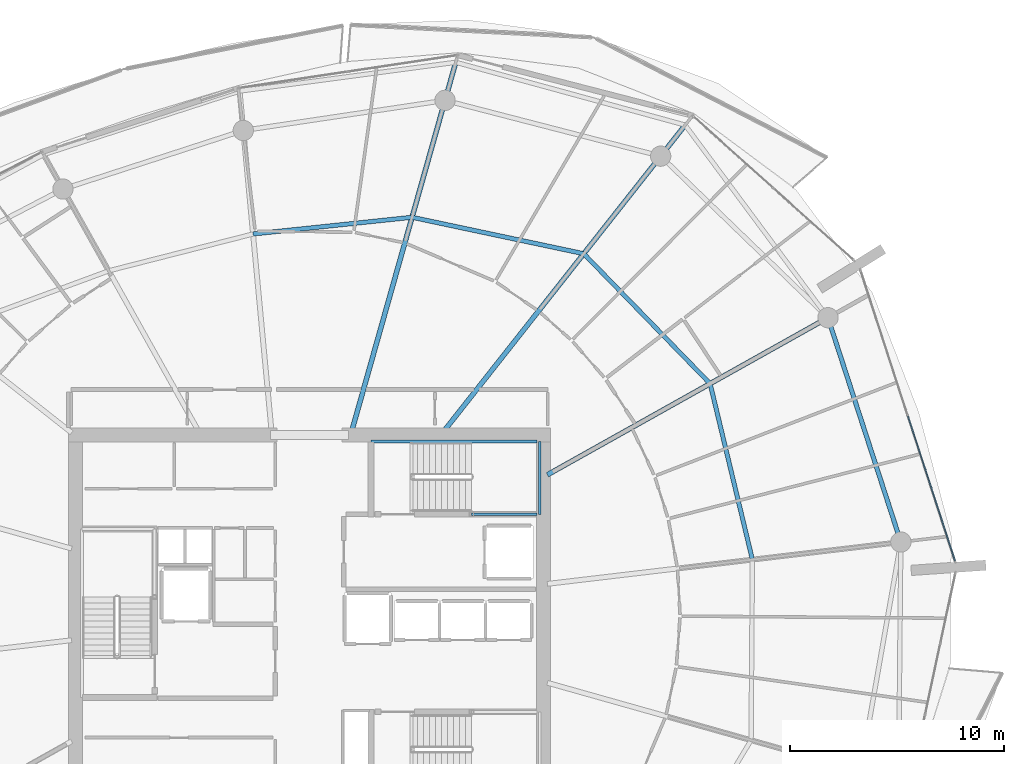
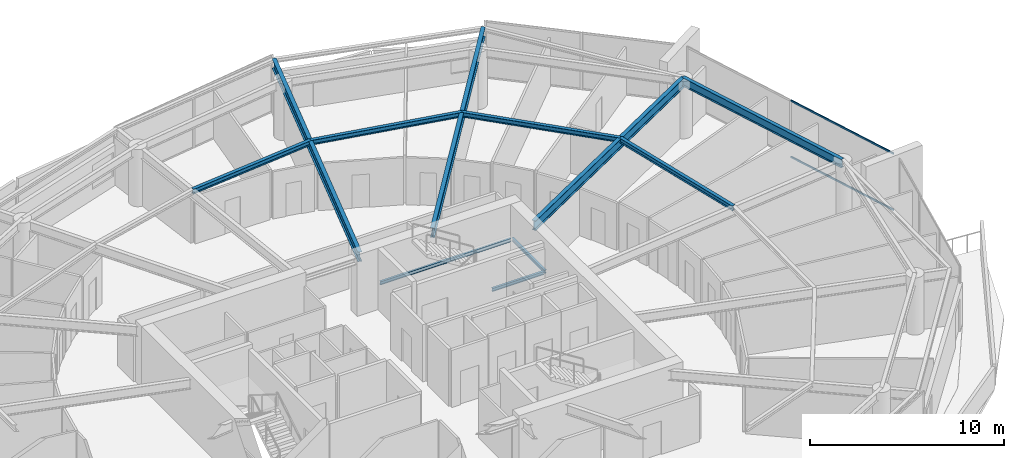
# One storey, part 15 of 31: 11 beams, 2 members, 1 element without a shape of its own.
"""IFC4 building model written with IfcOpenShell, lengths in metres."""

from ifc_helpers import new_model, si_unit, direction, frame, origin, origin_2d, place, context, subcontext, project, spatial, rectangle, i_section, extrude, material, layer, layer_set, material_profile, profile_set, type_object, element, aggregate, save


model = new_model("IFC4")

# Units and contexts
model_context = context("Model", 3, precision=1e-05, world=origin(), true_north=direction((0.0, 1.0)))
body_context = subcontext(model_context, "Body", "Model", "MODEL_VIEW")
ifc_project = project(units=[si_unit("LENGTHUNIT", "METRE"), si_unit("AREAUNIT", "SQUARE_METRE"), si_unit("VOLUMEUNIT", "CUBIC_METRE"), si_unit("PLANEANGLEUNIT", "RADIAN"), si_unit("MASSUNIT", "GRAM", prefix="KILO")], contexts=[model_context])

# Site, building, storey
site_placement = place(None, origin())
site = spatial("IfcSite", under=ifc_project, at=site_placement, CompositionType="ELEMENT")
building_placement = place(site_placement, origin())
building = spatial("IfcBuilding", under=site, at=building_placement, Name="Kazma Halo Residences", CompositionType="ELEMENT")
storey_placement = place(building_placement, frame((0.0, 0.0, 240.550048828125)))
storey = spatial("IfcBuildingStorey", under=building, at=storey_placement, Name="L60", CompositionType="ELEMENT", Elevation=240.550048828125)

# Beams
ifc_material_1 = material(Name="Steel S355", Category="steel")
ifc_material_profile_1 = material_profile(ifc_material_1, i_section(OverallWidth=0.22802734375, OverallDepth=0.60791015625, WebThickness=0.01123046875, FlangeThickness=0.017333984375, FilletRadius=0.01806640625, at=origin_2d()), Name="W610x113")
ifc_profile_set_1 = profile_set([ifc_material_profile_1], Name="Steel S355")
beam_type_1 = type_object("IfcBeamType", Name="BM-RAD-W610", PredefinedType="BEAM", material=ifc_profile_set_1)
beam_1_placement = place(storey_placement, frame((59.550048828125, 48.46826171875, 3.285888671875), z_axis=(0.872498817764, 0.488616222613, 0.0), x_axis=(-0.488616222613, 0.872498817764, 0.0)))
element("IfcBeam", 1, at=beam_1_placement, inside=storey, type_object=beam_type_1, Name="L60 radial floor beam 01", PredefinedType="BEAM", context=body_context, shape_type="SweptSolid", body=[
    extrude(i_section(OverallWidth=0.22802734375, OverallDepth=0.60791015625, WebThickness=0.01123046875, FlangeThickness=0.017333984375, FilletRadius=0.01806640625, at=origin_2d()), origin(), (0.0, 0.0, 1.0), 15.03759765625),
])
beam_2_placement = place(storey_placement, frame((54.700927734375, 50.5, 3.285888671875), z_axis=(0.6190864347, 0.785322854863, 0.0), x_axis=(-0.785322854863, 0.6190864347, 0.0)))
element("IfcBeam", 2, at=beam_2_placement, inside=storey, type_object=beam_type_1, Name="L60 radial floor beam 02", PredefinedType="BEAM", context=body_context, shape_type="SweptSolid", body=[
    extrude(i_section(OverallWidth=0.22802734375, OverallDepth=0.60791015625, WebThickness=0.01123046875, FlangeThickness=0.017333984375, FilletRadius=0.01806640625, at=origin_2d()), origin(), (0.0, 0.0, 1.0), 18.239013671875),
])
beam_3_placement = place(storey_placement, frame((50.397216796875, 50.5, 3.285888671875), z_axis=(0.271445290974, 0.962453871107, 0.0), x_axis=(-0.962453871107, 0.271445290974, 0.0)))
element("IfcBeam", 3, at=beam_3_placement, inside=storey, type_object=beam_type_1, Name="L60 radial floor beam 03", PredefinedType="BEAM", context=body_context, shape_type="SweptSolid", body=[
    extrude(i_section(OverallWidth=0.22802734375, OverallDepth=0.60791015625, WebThickness=0.01123046875, FlangeThickness=0.017333984375, FilletRadius=0.01806640625, at=origin_2d()), origin(), (0.0, 0.0, 1.0), 17.933349609375),
])
ifc_material_profile_2 = material_profile(ifc_material_1, i_section(OverallWidth=0.202880859375, OverallDepth=0.302978515625, WebThickness=0.007568359375, FlangeThickness=0.01318359375, FilletRadius=0.013916015625, at=origin_2d()), Name="W310x60")
ifc_profile_set_2 = profile_set([ifc_material_profile_2], Name="Steel S355")
beam_type_2 = type_object("IfcBeamType", Name="BM-SEC-W310A", PredefinedType="JOIST", material=ifc_profile_set_2)
beam_4_placement = place(storey_placement, frame((67.159912109375, 52.72998046875, 3.4384765625), z_axis=(-0.697145013687, 0.716930142964, 0.0), x_axis=(-0.716930142964, -0.697145013687, 0.0)))
element("IfcBeam", 4, at=beam_4_placement, inside=storey, type_object=beam_type_2, Name="L60 circumferential floor joist 01", PredefinedType="JOIST", context=body_context, shape_type="SweptSolid", body=[
    extrude(i_section(OverallWidth=0.202880859375, OverallDepth=0.302978515625, WebThickness=0.007568359375, FlangeThickness=0.01318359375, FilletRadius=0.013916015625, at=origin_2d()), origin(), (0.0, 0.0, 1.0), 8.477294921875),
])
beam_5_placement = place(storey_placement, frame((61.25, 58.8076171875, 3.4384765625), z_axis=(-0.978235588777, 0.207497308055, 0.0), x_axis=(-0.207497308055, -0.978235588777, 0.0)))
element("IfcBeam", 5, at=beam_5_placement, inside=storey, type_object=beam_type_2, Name="L60 circumferential floor joist 02", PredefinedType="JOIST", context=body_context, shape_type="SweptSolid", body=[
    extrude(i_section(OverallWidth=0.202880859375, OverallDepth=0.302978515625, WebThickness=0.007568359375, FlangeThickness=0.01318359375, FilletRadius=0.013916015625, at=origin_2d()), origin(), (0.0, 0.0, 1.0), 8.2080078125),
])
beam_6_placement = place(storey_placement, frame((53.220703125, 60.5107421875, 3.4384765625), z_axis=(-0.994528326067, -0.104467261141, 0.0), x_axis=(0.104467261141, -0.994528326067, 0.0)))
element("IfcBeam", 6, at=beam_6_placement, inside=storey, type_object=beam_type_2, Name="L60 circumferential floor joist 03", PredefinedType="JOIST", context=body_context, shape_type="SweptSolid", body=[
    extrude(i_section(OverallWidth=0.202880859375, OverallDepth=0.302978515625, WebThickness=0.007568359375, FlangeThickness=0.01318359375, FilletRadius=0.013916015625, at=origin_2d()), origin(), (0.0, 0.0, 1.0), 7.478515625),
])
beam_7_placement = place(storey_placement, frame((69.13720703125, 44.501708984375, 3.4384765625), z_axis=(-0.23365336492, 0.97231996023, 0.0), x_axis=(-0.97231996023, -0.23365336492, 0.0)))
element("IfcBeam", 7, at=beam_7_placement, inside=storey, type_object=beam_type_2, Name="L60 circumferential floor joist 16", PredefinedType="JOIST", context=body_context, shape_type="SweptSolid", body=[
    extrude(i_section(OverallWidth=0.202880859375, OverallDepth=0.302978515625, WebThickness=0.007568359375, FlangeThickness=0.01318359375, FilletRadius=0.013916015625, at=origin_2d()), origin(), (0.0, 0.0, 1.0), 8.46240234375),
])
ifc_material_profile_3 = material_profile(ifc_material_1, i_section(OverallWidth=0.208984375, OverallDepth=0.532958984375, WebThickness=0.01025390625, FlangeThickness=0.015625, FilletRadius=0.01611328125, at=origin_2d()), Name="W530x92")
ifc_profile_set_3 = profile_set([ifc_material_profile_3], Name="Steel S355")
beam_type_3 = type_object("IfcBeamType", Name="BM-SPN-W530", PredefinedType="BEAM", material=ifc_profile_set_3)
beam_8_placement = place(storey_placement, frame((76.07958984375, 45.323486328125, 3.323486328125), z_axis=(-0.309015517474, 0.951056996168, 0.0), x_axis=(-0.951056996168, -0.309015517474, 0.0)))
element("IfcBeam", 8, at=beam_8_placement, inside=storey, type_object=beam_type_3, Name="L60 perimeter ring beam 16", PredefinedType="BEAM", context=body_context, shape_type="SweptSolid", body=[
    extrude(i_section(OverallWidth=0.208984375, OverallDepth=0.532958984375, WebThickness=0.01025390625, FlangeThickness=0.015625, FilletRadius=0.01611328125, at=origin_2d()), origin(), (0.0, 0.0, 1.0), 11.032470703125),
])
ifc_material_profile_4 = material_profile(ifc_material_1, i_section(OverallWidth=0.133056640625, OverallDepth=0.20703125, WebThickness=0.005859375, FlangeThickness=0.00830078125, FilletRadius=0.010009765625, at=origin_2d()), Name="W200x26.6")
ifc_profile_set_4 = profile_set([ifc_material_profile_4], Name="Steel S355")
beam_type_4 = type_object("IfcBeamType", Name="BM-TRIM-W200", PredefinedType="BEAM", material=ifc_profile_set_4)
beam_9_placement = place(storey_placement, frame((51.31005859375, 50.02001953125, 1.619873046875), z_axis=(1.0, 0.0, 0.0), x_axis=(0.0, 1.0, 0.0)))
element("IfcBeam", 9, at=beam_9_placement, inside=storey, type_object=beam_type_4, Name="L60 ST-02 landing north wall ledger", PredefinedType="BEAM", context=body_context, shape_type="SweptSolid", body=[
    extrude(i_section(OverallWidth=0.133056640625, OverallDepth=0.20703125, WebThickness=0.005859375, FlangeThickness=0.00830078125, FilletRadius=0.010009765625, at=origin_2d()), origin(), (0.0, 0.0, 1.0), 7.760009765625),
])
beam_10_placement = place(storey_placement, frame((56.0, 46.6201171875, 1.619873046875), z_axis=(1.0, 0.0, 0.0), x_axis=(0.0, 1.0, 0.0)))
element("IfcBeam", 10, at=beam_10_placement, inside=storey, type_object=beam_type_4, Name="L60 ST-02 landing south wall ledger", PredefinedType="BEAM", context=body_context, shape_type="SweptSolid", body=[
    extrude(i_section(OverallWidth=0.133056640625, OverallDepth=0.20703125, WebThickness=0.005859375, FlangeThickness=0.00830078125, FilletRadius=0.010009765625, at=origin_2d()), origin(), (0.0, 0.0, 1.0), 3.070068359375),
])
beam_11_placement = place(storey_placement, frame((59.18994140625, 46.6201171875, 1.619873046875), z_axis=(0.0, 1.0, 0.0), x_axis=(-1.0, 0.0, 0.0)))
element("IfcBeam", 11, at=beam_11_placement, inside=storey, type_object=beam_type_4, Name="L60 ST-02 landing end wall ledger", PredefinedType="BEAM", context=body_context, shape_type="SweptSolid", body=[
    extrude(i_section(OverallWidth=0.133056640625, OverallDepth=0.20703125, WebThickness=0.005859375, FlangeThickness=0.00830078125, FilletRadius=0.010009765625, at=origin_2d()), origin(), (0.0, 0.0, 1.0), 3.39990234375),
])

# Curtain wall, members
ifc_material_2 = material(Name="Aluminium AW-6063 T6 and Triple-Silver Low-E Glass", Category="aluminium")
ifc_layer = layer(ifc_material_2, 0.139892578125)
ifc_layer_set = layer_set([ifc_layer], Name="Aluminium AW-6063 T6 and Triple-Silver Low-E Glass")
curtain_wall_type = type_object("IfcCurtainWallType", Name="CW-SYS-5", PredefinedType="NOTDEFINED", material=ifc_layer_set)
curtain_wall_placement = place(storey_placement, origin())
curtain_wall = element("IfcCurtainWall", 12, at=curtain_wall_placement, inside=storey, type_object=curtain_wall_type, Name="L60 unitised curtain wall B16", PredefinedType="NOTDEFINED")
ifc_material_3 = material(Name="Aluminium AW-6063 T6", Category="aluminium")
ifc_material_profile_5 = material_profile(ifc_material_3, rectangle(XDim=0.06005859375, YDim=0.10498046875, at=origin_2d()), Name="CWT-60x105")
ifc_profile_set_5 = profile_set([ifc_material_profile_5], Name="Aluminium AW-6063 T6")
member_type = type_object("IfcMemberType", Name="CW-SYS-5-TRN", PredefinedType="USERDEFINED", material=ifc_profile_set_5)
member_1_placement = place(storey_placement, frame((78.613525390625, 44.44091796875, 0.030029296875), z_axis=(-0.308995987448, 0.951063341603, 0.0), x_axis=(-0.951063341603, -0.308995987448, 0.0)))
member_1 = element("IfcMember", 13, at=member_1_placement, type_object=member_type, Name="CWS-5 transom 1.1", ObjectType="TRANSOM", PredefinedType="USERDEFINED", context=body_context, shape_type="SweptSolid", body=[
    extrude(rectangle(XDim=0.06005859375, YDim=0.10498046875, at=origin_2d()), origin(), (0.0, 0.0, 1.0), 7.108642578125),
])
member_2_placement = place(storey_placement, frame((78.613525390625, 44.44091796875, 3.56005859375), z_axis=(-0.308995987448, 0.951063341603, 0.0), x_axis=(-0.951063341603, -0.308995987448, 0.0)))
member_2 = element("IfcMember", 14, at=member_2_placement, type_object=member_type, Name="CWS-5 transom 1.2", ObjectType="TRANSOM", PredefinedType="USERDEFINED", context=body_context, shape_type="SweptSolid", body=[
    extrude(rectangle(XDim=0.06005859375, YDim=0.10498046875, at=origin_2d()), origin(), (0.0, 0.0, 1.0), 7.108642578125),
])
aggregate(curtain_wall, [member_1, member_2])

save(model, "model.ifc")
